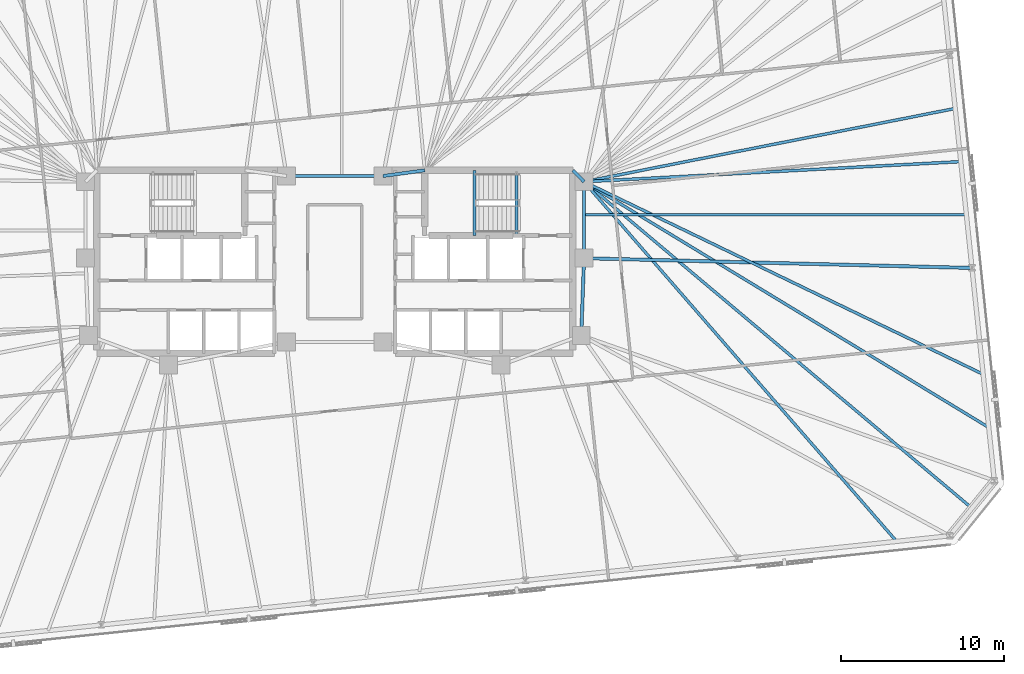
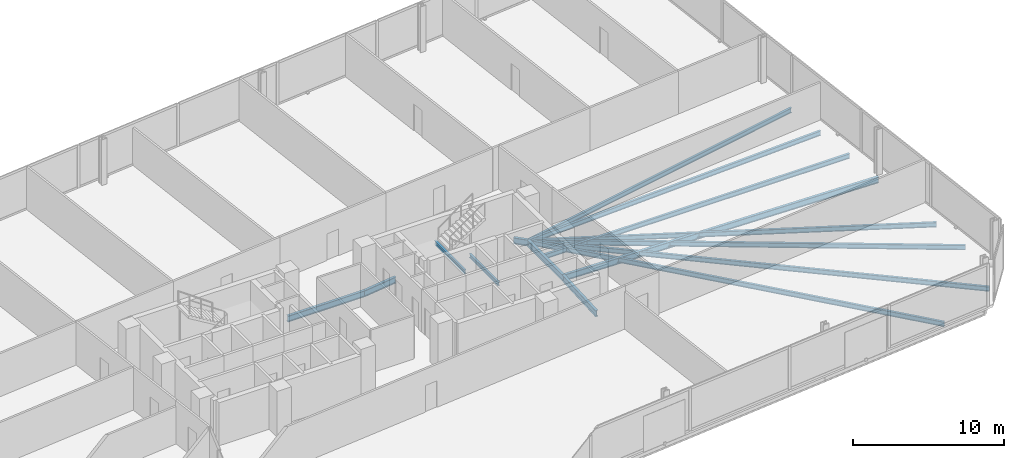
# One storey, part 8 of 18: 15 beams.
"""IFC4 building model written with IfcOpenShell, lengths in metres."""

from ifc_helpers import new_model, si_unit, direction, frame, origin, origin_2d, place, context, subcontext, project, spatial, i_section, extrude, material, material_profile, profile_set, type_object, element, save


model = new_model("IFC4")

# Units and contexts
model_context = context("Model", 3, precision=1e-05, world=origin(), true_north=direction((0.0, 1.0)))
body_context = subcontext(model_context, "Body", "Model", "MODEL_VIEW")
ifc_project = project(units=[si_unit("LENGTHUNIT", "METRE"), si_unit("AREAUNIT", "SQUARE_METRE"), si_unit("VOLUMEUNIT", "CUBIC_METRE"), si_unit("PLANEANGLEUNIT", "RADIAN"), si_unit("MASSUNIT", "GRAM", prefix="KILO")], contexts=[model_context])

# Site, building, storey
site_placement = place(None, origin())
site = spatial("IfcSite", under=ifc_project, at=site_placement, CompositionType="ELEMENT")
building_placement = place(site_placement, origin())
building = spatial("IfcBuilding", under=site, at=building_placement, Name="Menara Jurai Vektor", CompositionType="ELEMENT")
storey_placement = place(building_placement, frame((0.0, 0.0, 128.10009765625)))
storey = spatial("IfcBuildingStorey", under=building, at=storey_placement, Name="L32", CompositionType="ELEMENT", Elevation=128.10009765625)

# Beams
ifc_material = material(Name="Steel S355", Category="steel")
ifc_material_profile_1 = material_profile(ifc_material, i_section(OverallWidth=0.199951171875, OverallDepth=0.5, WebThickness=0.011962890625, FlangeThickness=0.02001953125, at=origin_2d()), Name="PG 500x200x96")
ifc_profile_set_1 = profile_set([ifc_material_profile_1], Name="Steel S355")
beam_type_1 = type_object("IfcBeamType", Name="STR-BM-500", PredefinedType="BEAM", material=ifc_profile_set_1)
beam_1_placement = place(storey_placement, frame((2.949951171875, 5.25, -0.47509765625), z_axis=(0.990706818608, 0.136014703483, 0.0), x_axis=(-0.136014703483, 0.990706818608, 0.0)))
element("IfcBeam", 1, at=beam_1_placement, inside=storey, type_object=beam_type_1, Name="Core Ring Header Girder L32-CHE-N1", PredefinedType="BEAM", context=body_context, shape_type="SweptSolid", body=[
    extrude(i_section(OverallWidth=0.199951171875, OverallDepth=0.5, WebThickness=0.011962890625, FlangeThickness=0.02001953125, at=origin_2d()), origin(), (0.0, 0.0, 1.0), 2.573974609375),
])
beam_2_placement = place(storey_placement, frame((14.56005859375, 5.60009765625, -0.47509765625), z_axis=(0.701871936926, -0.712303154672, 0.0), x_axis=(0.712303154672, 0.701871936926, 0.0)))
element("IfcBeam", 2, at=beam_2_placement, inside=storey, type_object=beam_type_1, Name="Core Ring Header Girder L32-CHE-N2", PredefinedType="BEAM", context=body_context, shape_type="SweptSolid", body=[
    extrude(i_section(OverallWidth=0.199951171875, OverallDepth=0.5, WebThickness=0.011962890625, FlangeThickness=0.02001953125, at=origin_2d()), origin(), (0.0, 0.0, 1.0), 0.98291015625),
])
beam_3_placement = place(storey_placement, frame((15.25, 0.219970703125, -0.47509765625), z_axis=(0.0, 1.0, 0.0), x_axis=(-1.0, 0.0, 0.0)))
element("IfcBeam", 3, at=beam_3_placement, inside=storey, type_object=beam_type_1, Name="Core Ring Header Girder L32-CHE-E1", PredefinedType="BEAM", context=body_context, shape_type="SweptSolid", body=[
    extrude(i_section(OverallWidth=0.199951171875, OverallDepth=0.5, WebThickness=0.011962890625, FlangeThickness=0.02001953125, at=origin_2d()), origin(), (0.0, 0.0, 1.0), 4.679931640625),
])
beam_4_placement = place(storey_placement, frame((15.080078125, -4.5, -0.47509765625), z_axis=(0.035977314146, 0.999352606874, 0.0), x_axis=(-0.999352606874, 0.035977314146, 0.0)))
element("IfcBeam", 4, at=beam_4_placement, inside=storey, type_object=beam_type_1, Name="Core Ring Header Girder L32-CHE-E2", PredefinedType="BEAM", context=body_context, shape_type="SweptSolid", body=[
    extrude(i_section(OverallWidth=0.199951171875, OverallDepth=0.5, WebThickness=0.011962890625, FlangeThickness=0.02001953125, at=origin_2d()), origin(), (0.0, 0.0, 1.0), 4.72314453125),
])
beam_5_placement = place(storey_placement, frame((-2.949951171875, 5.25, -0.47509765625), z_axis=(1.0, 0.0, 0.0), x_axis=(0.0, 1.0, 0.0)))
element("IfcBeam", 5, at=beam_5_placement, inside=storey, type_object=beam_type_1, Name="Core Ring Header Girder L32-CC-2", PredefinedType="BEAM", context=body_context, shape_type="SweptSolid", body=[
    extrude(i_section(OverallWidth=0.199951171875, OverallDepth=0.5, WebThickness=0.011962890625, FlangeThickness=0.02001953125, at=origin_2d()), origin(), (0.0, 0.0, 1.0), 5.89990234375),
])
beam_6_placement = place(storey_placement, frame((38.98828125, -0.375, -0.47509765625), z_axis=(-0.999686051749, 0.02505589629, 0.0), x_axis=(-0.02505589629, -0.999686051749, 0.0)))
element("IfcBeam", 6, at=beam_6_placement, inside=storey, type_object=beam_type_1, Name="Radial Floor Girder L32-E2", PredefinedType="BEAM", context=body_context, shape_type="SweptSolid", body=[
    extrude(i_section(OverallWidth=0.199951171875, OverallDepth=0.5, WebThickness=0.011962890625, FlangeThickness=0.02001953125, at=origin_2d()), origin(), (0.0, 0.0, 1.0), 23.745849609375),
])
ifc_material_profile_2 = material_profile(ifc_material, i_section(OverallWidth=0.175048828125, OverallDepth=0.3798828125, WebThickness=0.010009765625, FlangeThickness=0.014892578125, at=origin_2d()), Name="PG 380x175x58")
ifc_profile_set_2 = profile_set([ifc_material_profile_2], Name="Steel S355")
beam_type_2 = type_object("IfcBeamType", Name="STR-JS-380", PredefinedType="JOIST", material=ifc_profile_set_2)
beam_7_placement = place(storey_placement, frame((34.376953125, -17.106201171875, -0.4150390625), z_axis=(-0.656007047389, 0.754754763996, 0.0), x_axis=(-0.754754763996, -0.656007047389, 0.0)))
element("IfcBeam", 7, at=beam_7_placement, inside=storey, type_object=beam_type_2, Name="Radial Secondary Floor Joist L32-JS09", PredefinedType="JOIST", context=body_context, shape_type="SweptSolid", body=[
    extrude(i_section(OverallWidth=0.175048828125, OverallDepth=0.3798828125, WebThickness=0.010009765625, FlangeThickness=0.014892578125, at=origin_2d()), origin(), (0.0, 0.0, 1.0), 29.15673828125),
])
beam_8_placement = place(storey_placement, frame((38.989013671875, -15.076904296875, -0.4150390625), z_axis=(-0.765132553444, 0.643872794627, 0.0), x_axis=(-0.643872794627, -0.765132553444, 0.0)))
element("IfcBeam", 8, at=beam_8_placement, inside=storey, type_object=beam_type_2, Name="Radial Secondary Floor Joist L32-JS10", PredefinedType="JOIST", context=body_context, shape_type="SweptSolid", body=[
    extrude(i_section(OverallWidth=0.175048828125, OverallDepth=0.3798828125, WebThickness=0.010009765625, FlangeThickness=0.014892578125, at=origin_2d()), origin(), (0.0, 0.0, 1.0), 31.026123046875),
])
beam_9_placement = place(storey_placement, frame((40.01416015625, -10.13525390625, -0.4150390625), z_axis=(-0.854790986557, 0.518972416706, 0.0), x_axis=(-0.518972416706, -0.854790986557, 0.0)))
element("IfcBeam", 9, at=beam_9_placement, inside=storey, type_object=beam_type_2, Name="Radial Secondary Floor Joist L32-JS11", PredefinedType="JOIST", context=body_context, shape_type="SweptSolid", body=[
    extrude(i_section(OverallWidth=0.175048828125, OverallDepth=0.3798828125, WebThickness=0.010009765625, FlangeThickness=0.014892578125, at=origin_2d()), origin(), (0.0, 0.0, 1.0), 28.970947265625),
])
beam_10_placement = place(storey_placement, frame((39.672119140625, -6.8818359375, -0.4150390625), z_axis=(-0.90067072624, 0.434502293312, 0.0), x_axis=(-0.434502293312, -0.90067072624, 0.0)))
element("IfcBeam", 10, at=beam_10_placement, inside=storey, type_object=beam_type_2, Name="Radial Secondary Floor Joist L32-JS12", PredefinedType="JOIST", context=body_context, shape_type="SweptSolid", body=[
    extrude(i_section(OverallWidth=0.175048828125, OverallDepth=0.3798828125, WebThickness=0.010009765625, FlangeThickness=0.014892578125, at=origin_2d()), origin(), (0.0, 0.0, 1.0), 27.115478515625),
])
beam_11_placement = place(storey_placement, frame((38.646484375, 2.87841796875, -0.4150390625), z_axis=(-1.0, 0.0, 0.0), x_axis=(0.0, -1.0, 0.0)))
element("IfcBeam", 11, at=beam_11_placement, inside=storey, type_object=beam_type_2, Name="Radial Secondary Floor Joist L32-JS13", PredefinedType="JOIST", context=body_context, shape_type="SweptSolid", body=[
    extrude(i_section(OverallWidth=0.175048828125, OverallDepth=0.3798828125, WebThickness=0.010009765625, FlangeThickness=0.014892578125, at=origin_2d()), origin(), (0.0, 0.0, 1.0), 23.396484375),
])
beam_12_placement = place(storey_placement, frame((38.304443359375, 6.131591796875, -0.4150390625), z_axis=(-0.998575919005, -0.053349170414, 0.0), x_axis=(0.053349170414, -0.998575919005, 0.0)))
element("IfcBeam", 12, at=beam_12_placement, inside=storey, type_object=beam_type_2, Name="Radial Secondary Floor Joist L32-JS14", PredefinedType="JOIST", context=body_context, shape_type="SweptSolid", body=[
    extrude(i_section(OverallWidth=0.175048828125, OverallDepth=0.3798828125, WebThickness=0.010009765625, FlangeThickness=0.014892578125, at=origin_2d()), origin(), (0.0, 0.0, 1.0), 23.08740234375),
])
beam_13_placement = place(storey_placement, frame((37.96240234375, 9.385009765625, -0.4150390625), z_axis=(-0.981054359007, -0.193732662897, 0.0), x_axis=(0.193732662897, -0.981054359007, 0.0)))
element("IfcBeam", 13, at=beam_13_placement, inside=storey, type_object=beam_type_2, Name="Radial Secondary Floor Joist L32-JS15", PredefinedType="JOIST", context=body_context, shape_type="SweptSolid", body=[
    extrude(i_section(OverallWidth=0.175048828125, OverallDepth=0.3798828125, WebThickness=0.010009765625, FlangeThickness=0.014892578125, at=origin_2d()), origin(), (0.0, 0.0, 1.0), 23.151123046875),
])
ifc_material_profile_3 = material_profile(ifc_material, i_section(OverallWidth=0.1650390625, OverallDepth=0.302978515625, WebThickness=0.006103515625, FlangeThickness=0.010009765625, FilletRadius=0.009033203125, at=origin_2d()), Name="UKB 305x165x40")
ifc_profile_set_3 = profile_set([ifc_material_profile_3], Name="Steel S355")
beam_type_3 = type_object("IfcBeamType", Name="STR-LN-305", PredefinedType="LINTEL", material=ifc_profile_set_3)
beam_14_placement = place(storey_placement, frame((11.1201171875, 1.60009765625, -0.376708984375), z_axis=(0.0, 1.0, 0.0), x_axis=(-1.0, 0.0, 0.0)))
element("IfcBeam", 14, at=beam_14_placement, inside=storey, type_object=beam_type_3, Name="Stair Well Floor Trimmer ST2 L32", PredefinedType="LINTEL", context=body_context, shape_type="SweptSolid", body=[
    extrude(i_section(OverallWidth=0.1650390625, OverallDepth=0.302978515625, WebThickness=0.006103515625, FlangeThickness=0.010009765625, FilletRadius=0.009033203125, at=origin_2d()), origin(), (0.0, 0.0, 1.0), 3.81982421875),
])
beam_15_placement = place(storey_placement, frame((8.550048828125, 1.60009765625, 1.498291015625), z_axis=(0.0, 1.0, 0.0), x_axis=(-1.0, 0.0, 0.0)))
element("IfcBeam", 15, at=beam_15_placement, inside=storey, type_object=beam_type_3, Name="Stair Half-Landing Nosing Trimmer ST2-1 L32", PredefinedType="LINTEL", context=body_context, shape_type="SweptSolid", body=[
    extrude(i_section(OverallWidth=0.1650390625, OverallDepth=0.302978515625, WebThickness=0.006103515625, FlangeThickness=0.010009765625, FilletRadius=0.009033203125, at=origin_2d()), origin(), (0.0, 0.0, 1.0), 4.0),
])

save(model, "model.ifc")
